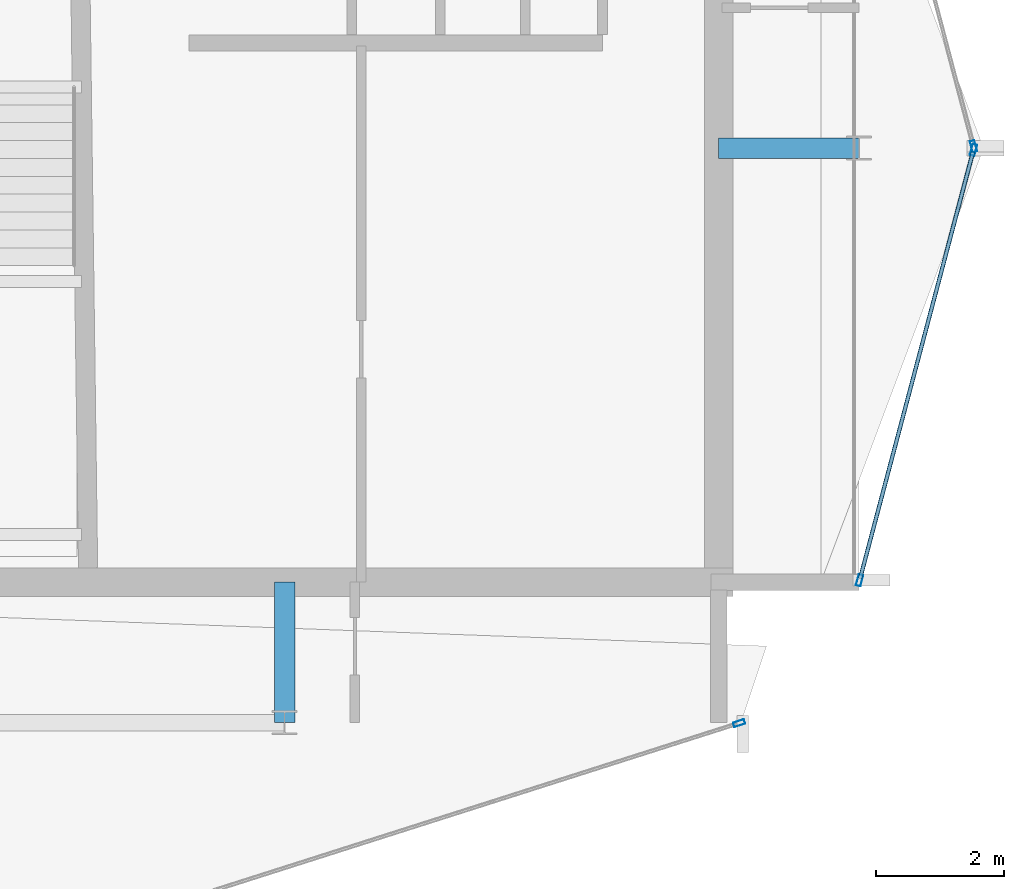
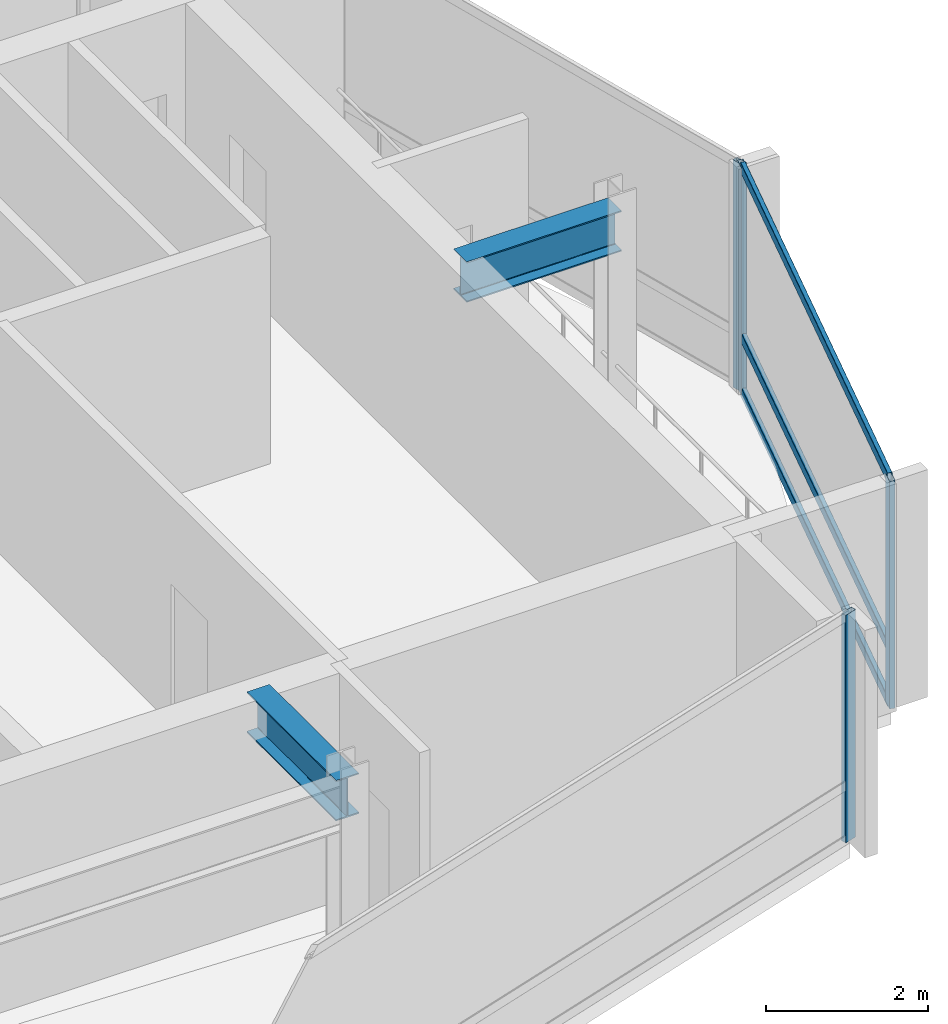
# One storey, part 9 of 19: 7 members, 2 beams, 3 elements without a shape of their own.
"""IFC4 building model written with IfcOpenShell, lengths in metres."""

from ifc_helpers import new_model, si_unit, direction, frame, origin, origin_2d, place, context, subcontext, project, spatial, hollow_rectangle, i_section, extrude, material, layer, layer_set, material_profile, profile_set, type_object, element, aggregate, save


model = new_model("IFC4")

# Units and contexts
model_context = context("Model", 3, precision=1e-05, world=origin(), true_north=direction((0.0, 1.0)))
body_context = subcontext(model_context, "Body", "Model", "MODEL_VIEW")
ifc_project = project(units=[si_unit("LENGTHUNIT", "METRE"), si_unit("AREAUNIT", "SQUARE_METRE"), si_unit("VOLUMEUNIT", "CUBIC_METRE"), si_unit("PLANEANGLEUNIT", "RADIAN"), si_unit("MASSUNIT", "GRAM", prefix="KILO")], contexts=[model_context])

# Site, building, storey
site_placement = place(None, origin())
site = spatial("IfcSite", under=ifc_project, at=site_placement, CompositionType="ELEMENT")
building_placement = place(site_placement, origin())
building = spatial("IfcBuilding", under=site, at=building_placement, Name="Solvaryn Broadcast Tower", CompositionType="ELEMENT")
storey_placement = place(building_placement, frame((0.0, 0.0, 270.39990234375)))
storey = spatial("IfcBuildingStorey", under=building, at=storey_placement, Name="L68", CompositionType="ELEMENT", Elevation=270.39990234375)

# Beams
ifc_material_1 = material(Name="Steel ASTM A992 Grade 50", Category="steel")
ifc_material_profile_1 = material_profile(ifc_material_1, i_section(OverallWidth=0.323974609375, OverallDepth=0.611083984375, WebThickness=0.0126953125, FlangeThickness=0.01904296875, FilletRadius=0.014892578125, at=origin_2d()))
ifc_profile_set_1 = profile_set([ifc_material_profile_1], Name="Steel ASTM A992 Grade 50")
beam_type = type_object("IfcBeamType", Name="BM-B1-W24X104", PredefinedType="BEAM", material=ifc_profile_set_1)
for number, where, z_axis, x_axis, name in (
    (1, (36.0, 9.0, 3.114501953125), (0.0, 1.0, 0.0), (-1.0, 0.0, 0.0), "L68 Core Tie Beam CTE1"),
    (2, (42.800048828125, 18.0, 3.114501953125), (1.0, 0.0, 0.0), (0.0, 1.0, 0.0), "L68 Core Tie Beam CTE3"),
):
    element("IfcBeam", number, at=place(storey_placement, frame(where, z_axis=z_axis, x_axis=x_axis)), inside=storey, type_object=beam_type, Name=name, PredefinedType="BEAM", context=body_context, shape_type="SweptSolid", body=[
        extrude(i_section(OverallWidth=0.323974609375, OverallDepth=0.611083984375, WebThickness=0.0126953125, FlangeThickness=0.01904296875, FilletRadius=0.014892578125, at=origin_2d()), origin(), (0.0, 0.0, 1.0), 2.199951171875),
    ])

# Curtain wall, member
ifc_material_2 = material(Name="Aluminium and Terracotta Unitised Curtain Wall", Category="masonry")
ifc_layer = layer(ifc_material_2, 0.199951171875)
ifc_layer_set = layer_set([ifc_layer], Name="CW-SYS2-LOWMID")
curtain_wall_type = type_object("IfcCurtainWallType", Name="CW-SYS2-LOWMID", PredefinedType="NOTDEFINED", material=ifc_layer_set)
curtain_wall_1_placement = place(storey_placement, origin())
curtain_wall_1 = element("IfcCurtainWall", 3, at=curtain_wall_1_placement, inside=storey, type_object=curtain_wall_type, Name="L68 Curtain Wall DR4", PredefinedType="NOTDEFINED")
ifc_material_3 = material(Name="Anodised Aluminium 6063-T6", Category="aluminium")
ifc_material_profile_2 = material_profile(ifc_material_3, hollow_rectangle(XDim=0.074951171875, YDim=0.179931640625, WallThickness=0.00390625, InnerFilletRadius=0.00390625, OuterFilletRadius=0.008056640625, at=origin_2d()))
ifc_profile_set_2 = profile_set([ifc_material_profile_2], Name="Anodised Aluminium 6063-T6")
member_type_1 = type_object("IfcMemberType", Name="CW-MUL-180", PredefinedType="MULLION", material=ifc_profile_set_2)
member_1_placement = place(storey_placement, frame((43.120361328125, 8.990966796875, 0.0), z_axis=(0.0, 0.0, 1.0), x_axis=(-0.30361564569, 0.952794594701, 0.0)))
member_1 = element("IfcMember", 4, at=member_1_placement, type_object=member_type_1, Name="CWS2 mullion 2", PredefinedType="MULLION", context=body_context, shape_type="SweptSolid", body=[
    extrude(hollow_rectangle(XDim=0.074951171875, YDim=0.179931640625, WallThickness=0.00390625, InnerFilletRadius=0.00390625, OuterFilletRadius=0.008056640625, at=origin_2d()), origin(), (0.0, 0.0, 1.0), 3.420166015625),
])
aggregate(curtain_wall_1, [member_1])

curtain_wall_2_placement = place(storey_placement, origin())
curtain_wall_2 = element("IfcCurtainWall", 5, at=curtain_wall_2_placement, inside=storey, type_object=curtain_wall_type, Name="L68 Curtain Wall ET1", PredefinedType="NOTDEFINED")
member_2_placement = place(storey_placement, frame((46.792236328125, 18.029052734375, 0.0), z_axis=(0.0, 0.0, 1.0), x_axis=(0.966705227863, 0.25589256031, 0.0)))
member_2 = element("IfcMember", 6, at=member_2_placement, type_object=member_type_1, Name="CWS2 mullion 2", PredefinedType="MULLION", context=body_context, shape_type="SweptSolid", body=[
    extrude(hollow_rectangle(XDim=0.074951171875, YDim=0.179931640625, WallThickness=0.00390625, InnerFilletRadius=0.00390625, OuterFilletRadius=0.008056640625, at=origin_2d()), origin(), (0.0, 0.0, 1.0), 3.420166015625),
])
aggregate(curtain_wall_2, [member_2])

# Curtain wall, members
curtain_wall_3_placement = place(storey_placement, origin())
curtain_wall_3 = element("IfcCurtainWall", 7, at=curtain_wall_3_placement, inside=storey, type_object=curtain_wall_type, Name="L68 Curtain Wall ET2", PredefinedType="NOTDEFINED")
member_3_placement = place(storey_placement, frame((46.792236328125, 17.970947265625, 0.0), z_axis=(0.0, 0.0, 1.0), x_axis=(0.966705227863, -0.25589256031, 0.0)))
member_3 = element("IfcMember", 8, at=member_3_placement, type_object=member_type_1, Name="CWS2 mullion 1", PredefinedType="MULLION", context=body_context, shape_type="SweptSolid", body=[
    extrude(hollow_rectangle(XDim=0.074951171875, YDim=0.179931640625, WallThickness=0.00390625, InnerFilletRadius=0.00390625, OuterFilletRadius=0.008056640625, at=origin_2d()), origin(), (0.0, 0.0, 1.0), 3.420166015625),
])
member_4_placement = place(storey_placement, frame((45.007568359375, 11.22900390625, 0.0), z_axis=(0.0, 0.0, 1.0), x_axis=(0.966705227863, -0.25589256031, 0.0)))
member_4 = element("IfcMember", 9, at=member_4_placement, type_object=member_type_1, Name="CWS2 mullion 2", PredefinedType="MULLION", context=body_context, shape_type="SweptSolid", body=[
    extrude(hollow_rectangle(XDim=0.074951171875, YDim=0.179931640625, WallThickness=0.00390625, InnerFilletRadius=0.00390625, OuterFilletRadius=0.008056640625, at=origin_2d()), origin(), (0.0, 0.0, 1.0), 3.420166015625),
])
ifc_material_4 = material(Name="Anodised Aluminium 6063-T6", Category="aluminium")
ifc_material_profile_3 = material_profile(ifc_material_4, hollow_rectangle(XDim=0.06494140625, YDim=0.14990234375, WallThickness=0.00390625, InnerFilletRadius=0.00390625, OuterFilletRadius=0.008056640625, at=origin_2d()))
ifc_profile_set_3 = profile_set([ifc_material_profile_3], Name="Anodised Aluminium 6063-T6")
member_type_2 = type_object("IfcMemberType", Name="CW-TRN-150", PredefinedType="USERDEFINED", material=ifc_profile_set_3)
member_5_placement = place(storey_placement, frame((46.78466796875, 17.94189453125, 0.030029296875), z_axis=(-0.255897413051, -0.966703943301, 0.0), x_axis=(0.966703943301, -0.255897413051, 0.0)))
member_5 = element("IfcMember", 10, at=member_5_placement, type_object=member_type_2, Name="CWS2 transom 1.1", ObjectType="TRANSOM", PredefinedType="USERDEFINED", context=body_context, shape_type="SweptSolid", body=[
    extrude(hollow_rectangle(XDim=0.06494140625, YDim=0.14990234375, WallThickness=0.00390625, InnerFilletRadius=0.00390625, OuterFilletRadius=0.008056640625, at=origin_2d()), origin(), (0.0, 0.0, 1.0), 6.9140625),
])
member_6_placement = place(storey_placement, frame((46.78466796875, 17.94189453125, 0.85009765625), z_axis=(-0.255897413051, -0.966703943301, 0.0), x_axis=(0.966703943301, -0.255897413051, 0.0)))
member_6 = element("IfcMember", 11, at=member_6_placement, type_object=member_type_2, Name="CWS2 transom 1.2", ObjectType="TRANSOM", PredefinedType="USERDEFINED", context=body_context, shape_type="SweptSolid", body=[
    extrude(hollow_rectangle(XDim=0.06494140625, YDim=0.14990234375, WallThickness=0.00390625, InnerFilletRadius=0.00390625, OuterFilletRadius=0.008056640625, at=origin_2d()), origin(), (0.0, 0.0, 1.0), 6.9140625),
])
member_7_placement = place(storey_placement, frame((46.78466796875, 17.94189453125, 3.39013671875), z_axis=(-0.255897413051, -0.966703943301, 0.0), x_axis=(0.966703943301, -0.255897413051, 0.0)))
member_7 = element("IfcMember", 12, at=member_7_placement, type_object=member_type_2, Name="CWS2 transom 1.3", ObjectType="TRANSOM", PredefinedType="USERDEFINED", context=body_context, shape_type="SweptSolid", body=[
    extrude(hollow_rectangle(XDim=0.06494140625, YDim=0.14990234375, WallThickness=0.00390625, InnerFilletRadius=0.00390625, OuterFilletRadius=0.008056640625, at=origin_2d()), origin(), (0.0, 0.0, 1.0), 6.9140625),
])
aggregate(curtain_wall_3, [member_3, member_4, member_5, member_6, member_7])

save(model, "model.ifc")
